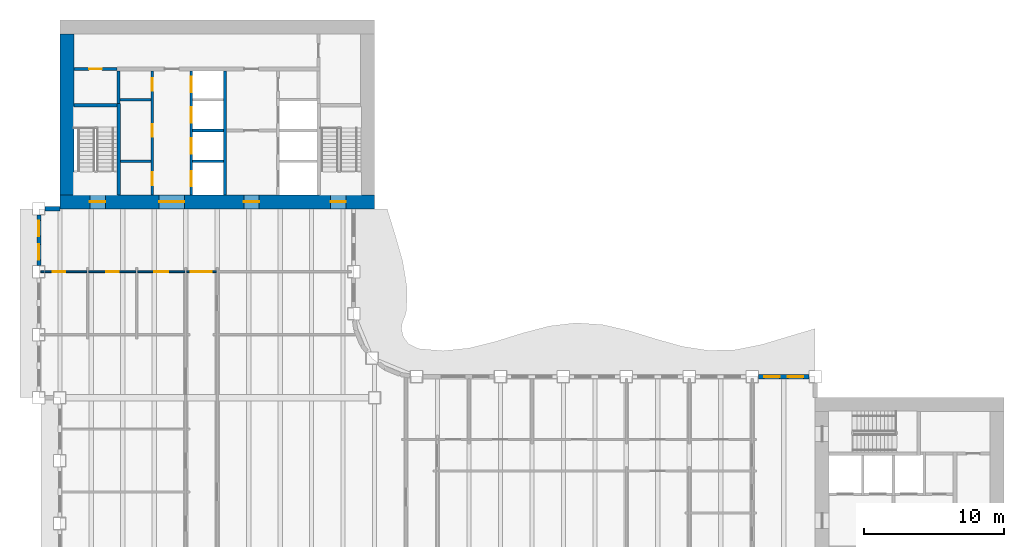
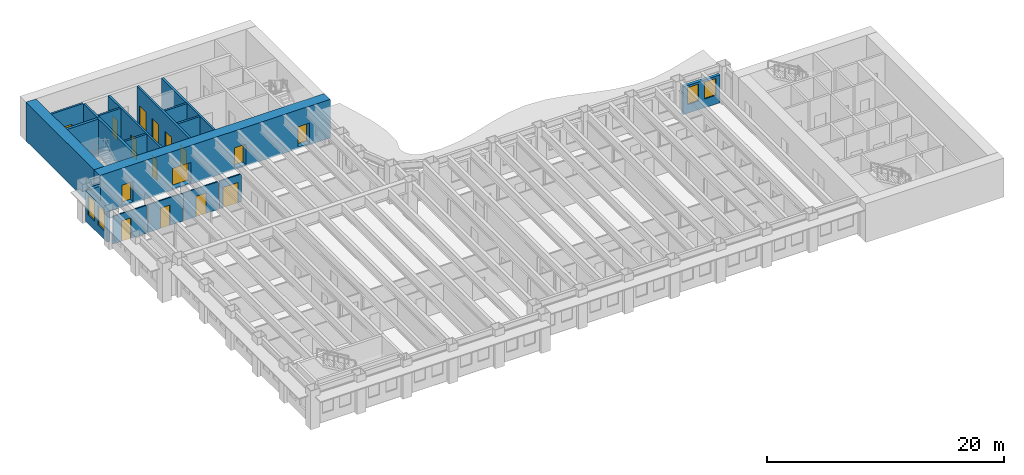
# One storey, part 8 of 16: 20 walls, 16 doors, 4 windows, 20 openings.
"""IFC4 building model written with IfcOpenShell, lengths in metres."""

from ifc_helpers import new_model, si_unit, direction, frame, frame_2d, origin, place, context, subcontext, project, spatial, rectangle, extrude, material, layer, layer_set, type_object, element, fill, save


model = new_model("IFC4")

# Units and contexts
model_context = context("Model", 3, precision=1e-05, world=origin(), true_north=direction((0.0, 1.0)))
body_context = subcontext(model_context, "Body", "Model", "MODEL_VIEW")
ifc_project = project(units=[si_unit("LENGTHUNIT", "METRE"), si_unit("AREAUNIT", "SQUARE_METRE"), si_unit("VOLUMEUNIT", "CUBIC_METRE"), si_unit("PLANEANGLEUNIT", "RADIAN"), si_unit("MASSUNIT", "GRAM", prefix="KILO")], contexts=[model_context])

# Site, building, storey
site_placement = place(None, origin())
site = spatial("IfcSite", under=ifc_project, at=site_placement, CompositionType="ELEMENT")
building_placement = place(site_placement, origin())
building = spatial("IfcBuilding", under=site, at=building_placement, Name="Sennacour Bend Tower", CompositionType="ELEMENT")
storey_placement = place(building_placement, frame((0.0, 0.0, 163.0)))
storey = spatial("IfcBuildingStorey", under=building, at=storey_placement, Name="L37", CompositionType="ELEMENT", Elevation=163.0)

# Wall, openings, doors
ifc_material_1 = material(Name="Concrete C60/75", Category="concrete")
ifc_layer_1 = layer(ifc_material_1, 1.0, Name="Concrete C60/75", Category="concrete")
ifc_layer_set_1 = layer_set([ifc_layer_1], Name="Concrete C60/75")
wall_type_1 = type_object("IfcWallType", Name="Core wall 1000 C60/75", PredefinedType="SHEAR", material=ifc_layer_set_1)
wall_1_placement = place(storey_placement, frame((0.0, 36.5, -0.14990234375), z_axis=(0.0, 0.0, 1.0), x_axis=(1.0, 0.0, 0.0)))
wall_1 = element("IfcWall", 1, at=wall_1_placement, inside=storey, type_object=wall_type_1, Name="Core B wall L37 S", PredefinedType="SHEAR", context=body_context, shape_type="SweptSolid", body=[
    extrude(rectangle(XDim=22.5, YDim=1.0, at=frame_2d((11.25, 0.0))), origin(), (0.0, 0.0, 1.0), 4.0),
])
opening_1_placement = place(wall_1_placement, frame((7.10009765625, 0.0, 0.14990234375)))
opening_1 = element("IfcOpeningElement", 2, at=opening_1_placement, cuts=wall_1, Name="Opening CD", PredefinedType="OPENING", context=body_context, shape_type="SweptSolid", body=[
    extrude(rectangle(XDim=1.800048828125, YDim=2.10009765625, at=frame_2d((0.89990234375, 1.050048828125))), frame((0.0, 0.510009765625, 0.0), z_axis=(0.0, -1.0, 0.0), x_axis=(1.0, 0.0, 0.0)), (0.0, 0.0, 1.0), 1.02001953125),
])
opening_2_placement = place(wall_1_placement, frame((13.14990234375, 0.0, 0.14990234375)))
opening_2 = element("IfcOpeningElement", 3, at=opening_2_placement, cuts=wall_1, Name="Opening FD", PredefinedType="OPENING", context=body_context, shape_type="SweptSolid", body=[
    extrude(rectangle(XDim=1.10009765625, YDim=2.10009765625, at=frame_2d((0.550048828125, 1.050048828125))), frame((0.0, 0.510009765625, 0.0), z_axis=(0.0, -1.0, 0.0), x_axis=(1.0, 0.0, 0.0)), (0.0, 0.0, 1.0), 1.02001953125),
])
opening_3_placement = place(wall_1_placement, frame((2.14990234375, 0.0, 0.14990234375)))
opening_3 = element("IfcOpeningElement", 4, at=opening_3_placement, cuts=wall_1, Name="Opening SD", PredefinedType="OPENING", context=body_context, shape_type="SweptSolid", body=[
    extrude(rectangle(XDim=1.10009765625, YDim=2.10009765625, at=frame_2d((0.550048828125, 1.050048828125))), frame((0.0, 0.510009765625, 0.0), z_axis=(0.0, -1.0, 0.0), x_axis=(1.0, 0.0, 0.0)), (0.0, 0.0, 1.0), 1.02001953125),
])
opening_4_placement = place(wall_1_placement, frame((19.35009765625, 0.0, 0.14990234375)))
opening_4 = element("IfcOpeningElement", 5, at=opening_4_placement, cuts=wall_1, Name="Opening SD", PredefinedType="OPENING", context=body_context, shape_type="SweptSolid", body=[
    extrude(rectangle(XDim=1.10009765625, YDim=2.10009765625, at=frame_2d((0.550048828125, 1.050048828125))), frame((0.0, 0.510009765625, 0.0), z_axis=(0.0, -1.0, 0.0), x_axis=(1.0, 0.0, 0.0)), (0.0, 0.0, 1.0), 1.02001953125),
])
ifc_material_2 = material(Name="Painted steel", Category="steel")
door_type_1 = type_object("IfcDoorType", Name="DR-FFL-1100", OperationType="NOTDEFINED", PredefinedType="DOOR", material=ifc_material_2)
door_1_placement = place(opening_2_placement, origin())
door_1 = element("IfcDoor", 6, at=door_1_placement, inside=storey, type_object=door_type_1, Name="Door", OperationType="SINGLE_SWING_RIGHT", OverallHeight=2.10009765625, OverallWidth=1.10009765625, PredefinedType="DOOR", context=body_context, shape_type="SweptSolid", body=[
    extrude(rectangle(XDim=1.10009765625, YDim=2.10009765625, at=frame_2d((0.550048828125, 1.050048828125))), frame((0.0, 0.02490234375, 0.0), z_axis=(0.0, -1.0, 0.0), x_axis=(1.0, 0.0, 0.0)), (0.0, 0.0, 1.0), 0.050048828125),
])
fill(opening_2, door_1)
door_type_2 = type_object("IfcDoorType", Name="DR-LOBBY-1800", OperationType="NOTDEFINED", PredefinedType="DOOR", material=ifc_material_2)
door_2_placement = place(opening_1_placement, origin())
door_2 = element("IfcDoor", 7, at=door_2_placement, inside=storey, type_object=door_type_2, Name="Door", OperationType="DOUBLE_DOOR_SINGLE_SWING", OverallHeight=2.10009765625, OverallWidth=1.800048828125, PredefinedType="DOOR", context=body_context, shape_type="SweptSolid", body=[
    extrude(rectangle(XDim=1.800048828125, YDim=2.10009765625, at=frame_2d((0.89990234375, 1.050048828125))), frame((0.0, 0.02490234375, 0.0), z_axis=(0.0, -1.0, 0.0), x_axis=(1.0, 0.0, 0.0)), (0.0, 0.0, 1.0), 0.050048828125),
])
fill(opening_1, door_2)
door_type_3 = type_object("IfcDoorType", Name="DR-STAIR-1100", OperationType="NOTDEFINED", PredefinedType="DOOR", material=ifc_material_2)
door_3_placement = place(opening_3_placement, origin())
door_3 = element("IfcDoor", 8, at=door_3_placement, inside=storey, type_object=door_type_3, Name="Door", OperationType="SINGLE_SWING_LEFT", OverallHeight=2.10009765625, OverallWidth=1.10009765625, PredefinedType="DOOR", context=body_context, shape_type="SweptSolid", body=[
    extrude(rectangle(XDim=1.10009765625, YDim=2.10009765625, at=frame_2d((0.550048828125, 1.050048828125))), frame((0.0, 0.02490234375, 0.0), z_axis=(0.0, -1.0, 0.0), x_axis=(1.0, 0.0, 0.0)), (0.0, 0.0, 1.0), 0.050048828125),
])
fill(opening_3, door_3)
door_4_placement = place(opening_4_placement, origin())
door_4 = element("IfcDoor", 9, at=door_4_placement, inside=storey, type_object=door_type_3, Name="Door", OperationType="SINGLE_SWING_RIGHT", OverallHeight=2.10009765625, OverallWidth=1.10009765625, PredefinedType="DOOR", context=body_context, shape_type="SweptSolid", body=[
    extrude(rectangle(XDim=1.10009765625, YDim=2.10009765625, at=frame_2d((0.550048828125, 1.050048828125))), frame((0.0, 0.02490234375, 0.0), z_axis=(0.0, -1.0, 0.0), x_axis=(1.0, 0.0, 0.0)), (0.0, 0.0, 1.0), 0.050048828125),
])
fill(opening_4, door_4)

# Wall
wall_2_placement = place(storey_placement, frame((0.5, 37.0, -0.14990234375), z_axis=(0.0, 0.0, 1.0), x_axis=(0.0, 1.0, 0.0)))
element("IfcWall", 10, at=wall_2_placement, inside=storey, type_object=wall_type_1, Name="Core B wall L37 W", PredefinedType="SHEAR", context=body_context, shape_type="SweptSolid", body=[
    extrude(rectangle(XDim=11.5, YDim=1.0, at=frame_2d((5.75, 0.0))), origin(), (0.0, 0.0, 1.0), 4.0),
])

# Wall, opening, door
ifc_material_3 = material(Name="Plasterboard partition on steel studs", Category="steel")
ifc_layer_2 = layer(ifc_material_3, 0.1201171875, Name="Plasterboard partition on steel studs", Category="steel")
ifc_layer_set_2 = layer_set([ifc_layer_2], Name="Plasterboard partition on steel studs")
wall_type_2 = type_object("IfcWallType", Name="Partition 120", PredefinedType="PARTITIONING", material=ifc_layer_set_2)
wall_3_placement = place(storey_placement, frame((-1.35009765625, 31.5, 0.0), z_axis=(0.0, 0.0, 1.0), x_axis=(1.0, 0.0, 0.0)))
wall_3 = element("IfcWall", 11, at=wall_3_placement, inside=storey, type_object=wall_type_2, Name="P-L37-W080aa", PredefinedType="PARTITIONING", context=body_context, shape_type="SweptSolid", body=[
    extrude(rectangle(XDim=3.2900390625, YDim=0.1201171875, at=frame_2d((1.64501953125, 0.0))), origin(), (0.0, 0.0, 1.0), 2.8701171875),
])
opening_5_placement = place(wall_3_placement, frame((0.85009765625, 0.0, 0.0)))
opening_5 = element("IfcOpeningElement", 12, at=opening_5_placement, cuts=wall_3, Name="Opening WD", PredefinedType="OPENING", context=body_context, shape_type="SweptSolid", body=[
    extrude(rectangle(XDim=0.89990234375, YDim=2.10009765625, at=frame_2d((0.449951171875, 1.050048828125))), frame((0.0, 0.070068359375, 0.0), z_axis=(0.0, -1.0, 0.0), x_axis=(1.0, 0.0, 0.0)), (0.0, 0.0, 1.0), 0.14013671875),
])
ifc_material_4 = material(Name="Timber", Category="wood")
door_type_4 = type_object("IfcDoorType", Name="DR-WC-900", OperationType="NOTDEFINED", PredefinedType="DOOR", material=ifc_material_4)
door_5_placement = place(opening_5_placement, origin())
door_5 = element("IfcDoor", 13, at=door_5_placement, inside=storey, type_object=door_type_4, Name="Door", OperationType="SINGLE_SWING_LEFT", OverallHeight=2.10009765625, OverallWidth=0.89990234375, PredefinedType="DOOR", context=body_context, shape_type="SweptSolid", body=[
    extrude(rectangle(XDim=0.89990234375, YDim=2.10009765625, at=frame_2d((0.449951171875, 1.050048828125))), frame((0.0, 0.02490234375, 0.0), z_axis=(0.0, -1.0, 0.0), x_axis=(1.0, 0.0, 0.0)), (0.0, 0.0, 1.0), 0.050048828125),
])
fill(opening_5, door_5)

wall_4_placement = place(storey_placement, frame((2.06005859375, 31.5, 0.0), z_axis=(0.0, 0.0, 1.0), x_axis=(1.0, 0.0, 0.0)))
wall_4 = element("IfcWall", 14, at=wall_4_placement, inside=storey, type_object=wall_type_2, Name="P-L37-W080ab", PredefinedType="PARTITIONING", context=body_context, shape_type="SweptSolid", body=[
    extrude(rectangle(XDim=3.3798828125, YDim=0.1201171875, at=frame_2d((1.68994140625, 0.0))), origin(), (0.0, 0.0, 1.0), 2.8701171875),
])
opening_6_placement = place(wall_4_placement, frame((1.239990234375, 0.0, 0.0)))
opening_6 = element("IfcOpeningElement", 15, at=opening_6_placement, cuts=wall_4, Name="Opening WD", PredefinedType="OPENING", context=body_context, shape_type="SweptSolid", body=[
    extrude(rectangle(XDim=0.89990234375, YDim=2.10009765625, at=frame_2d((0.449951171875, 1.050048828125))), frame((0.0, 0.070068359375, 0.0), z_axis=(0.0, -1.0, 0.0), x_axis=(1.0, 0.0, 0.0)), (0.0, 0.0, 1.0), 0.14013671875),
])
door_6_placement = place(opening_6_placement, origin())
door_6 = element("IfcDoor", 16, at=door_6_placement, inside=storey, type_object=door_type_4, Name="Door", OperationType="SINGLE_SWING_LEFT", OverallHeight=2.10009765625, OverallWidth=0.89990234375, PredefinedType="DOOR", context=body_context, shape_type="SweptSolid", body=[
    extrude(rectangle(XDim=0.89990234375, YDim=2.10009765625, at=frame_2d((0.449951171875, 1.050048828125))), frame((0.0, 0.02490234375, 0.0), z_axis=(0.0, -1.0, 0.0), x_axis=(1.0, 0.0, 0.0)), (0.0, 0.0, 1.0), 0.050048828125),
])
fill(opening_6, door_6)

wall_5_placement = place(storey_placement, frame((5.56005859375, 31.5, 0.0), z_axis=(0.0, 0.0, 1.0), x_axis=(1.0, 0.0, 0.0)))
wall_5 = element("IfcWall", 17, at=wall_5_placement, inside=storey, type_object=wall_type_2, Name="P-L37-W080ac", PredefinedType="PARTITIONING", context=body_context, shape_type="SweptSolid", body=[
    extrude(rectangle(XDim=3.3798828125, YDim=0.1201171875, at=frame_2d((1.68994140625, 0.0))), origin(), (0.0, 0.0, 1.0), 2.8701171875),
])
opening_7_placement = place(wall_5_placement, frame((1.18994140625, 0.0, 0.0)))
opening_7 = element("IfcOpeningElement", 18, at=opening_7_placement, cuts=wall_5, Name="Opening AD", PredefinedType="OPENING", context=body_context, shape_type="SweptSolid", body=[
    extrude(rectangle(XDim=1.0, YDim=2.10009765625, at=frame_2d((0.5, 1.050048828125))), frame((0.0, 0.070068359375, 0.0), z_axis=(0.0, -1.0, 0.0), x_axis=(1.0, 0.0, 0.0)), (0.0, 0.0, 1.0), 0.14013671875),
])
door_type_5 = type_object("IfcDoorType", Name="DR-ACC-WC-1000", OperationType="NOTDEFINED", PredefinedType="DOOR", material=ifc_material_4)
door_7_placement = place(opening_7_placement, origin())
door_7 = element("IfcDoor", 19, at=door_7_placement, inside=storey, type_object=door_type_5, Name="Door", OperationType="SINGLE_SWING_LEFT", OverallHeight=2.10009765625, OverallWidth=1.0, PredefinedType="DOOR", context=body_context, shape_type="SweptSolid", body=[
    extrude(rectangle(XDim=1.0, YDim=2.10009765625, at=frame_2d((0.5, 1.050048828125))), frame((0.0, 0.02490234375, 0.0), z_axis=(0.0, -1.0, 0.0), x_axis=(1.0, 0.0, 0.0)), (0.0, 0.0, 1.0), 0.050048828125),
])
fill(opening_7, door_7)

ifc_layer_3 = layer(ifc_material_3, 0.1201171875, Name="Plasterboard partition on steel studs", Category="steel")
ifc_layer_set_3 = layer_set([ifc_layer_3], Name="Plasterboard partition on steel studs")
wall_type_3 = type_object("IfcWallType", Name="Partition 120 EI 30", PredefinedType="PARTITIONING", material=ifc_layer_set_3)
wall_6_placement = place(storey_placement, frame((9.06005859375, 31.5, 0.0), z_axis=(0.0, 0.0, 1.0), x_axis=(1.0, 0.0, 0.0)))
wall_6 = element("IfcWall", 20, at=wall_6_placement, inside=storey, type_object=wall_type_3, Name="P-L37-W080ad", PredefinedType="PARTITIONING", context=body_context, shape_type="SweptSolid", body=[
    extrude(rectangle(XDim=2.1298828125, YDim=0.1201171875, at=frame_2d((1.06494140625, 0.0))), origin(), (0.0, 0.0, 1.0), 2.8701171875),
])
opening_8_placement = place(wall_6_placement, frame((0.31494140625, 0.0, 0.0)))
opening_8 = element("IfcOpeningElement", 21, at=opening_8_placement, cuts=wall_6, Name="Opening KD", PredefinedType="OPENING", context=body_context, shape_type="SweptSolid", body=[
    extrude(rectangle(XDim=1.5, YDim=2.10009765625, at=frame_2d((0.75, 1.050048828125))), frame((0.0, 0.070068359375, 0.0), z_axis=(0.0, -1.0, 0.0), x_axis=(1.0, 0.0, 0.0)), (0.0, 0.0, 1.0), 0.14013671875),
])
door_type_6 = type_object("IfcDoorType", Name="DR-CORRIDOR-1500", OperationType="NOTDEFINED", PredefinedType="DOOR", material=ifc_material_2)
door_8_placement = place(opening_8_placement, origin())
door_8 = element("IfcDoor", 22, at=door_8_placement, inside=storey, type_object=door_type_6, Name="Door", OperationType="SINGLE_SWING_LEFT", OverallHeight=2.10009765625, OverallWidth=1.5, PredefinedType="DOOR", context=body_context, shape_type="SweptSolid", body=[
    extrude(rectangle(XDim=1.5, YDim=2.10009765625, at=frame_2d((0.75, 1.050048828125))), frame((0.0, 0.02490234375, 0.0), z_axis=(0.0, -1.0, 0.0), x_axis=(1.0, 0.0, 0.0)), (0.0, 0.0, 1.0), 0.050048828125),
])
fill(opening_8, door_8)

# Wall
ifc_material_5 = material(Name="Fire-rated plasterboard partition on steel studs", Category="steel")
ifc_layer_4 = layer(ifc_material_5, 0.199951171875, Name="Fire-rated plasterboard partition on steel studs", Category="steel")
ifc_layer_set_4 = layer_set([ifc_layer_4], Name="Fire-rated plasterboard partition on steel studs")
wall_type_4 = type_object("IfcWallType", Name="Rated partition 200", PredefinedType="PARTITIONING", material=ifc_layer_set_4)
wall_7_placement = place(storey_placement, frame((4.199951171875, 43.52490234375, 0.0), z_axis=(0.0, 0.0, 1.0), x_axis=(0.0, 1.0, 0.0)))
element("IfcWall", 23, at=wall_7_placement, inside=storey, type_object=wall_type_4, Name="P-L37-W006", PredefinedType="PARTITIONING", context=body_context, shape_type="SweptSolid", body=[
    extrude(rectangle(XDim=2.3251953125, YDim=0.199951171875, at=frame_2d((1.16259765625, 0.0))), origin(), (0.0, 0.0, 1.0), 3.85009765625),
])

# Wall, openings, doors
wall_8_placement = place(storey_placement, frame((6.60009765625, 37.0, 0.0), z_axis=(0.0, 0.0, 1.0), x_axis=(0.0, 1.0, 0.0)))
wall_8 = element("IfcWall", 24, at=wall_8_placement, inside=storey, type_object=wall_type_4, Name="P-L37-W008", PredefinedType="PARTITIONING", context=body_context, shape_type="SweptSolid", body=[
    extrude(rectangle(XDim=8.85009765625, YDim=0.199951171875, at=frame_2d((4.425048828125, 0.0))), origin(), (0.0, 0.0, 1.0), 3.85009765625),
])
opening_9_placement = place(wall_8_placement, frame((0.699951171875, 0.0, 0.0)))
opening_9 = element("IfcOpeningElement", 25, at=opening_9_placement, cuts=wall_8, Name="Opening SV", PredefinedType="OPENING", context=body_context, shape_type="SweptSolid", body=[
    extrude(rectangle(XDim=0.89990234375, YDim=2.10009765625, at=frame_2d((0.449951171875, 1.050048828125))), frame((0.0, 0.10986328125, 0.0), z_axis=(0.0, -1.0, 0.0), x_axis=(1.0, 0.0, 0.0)), (0.0, 0.0, 1.0), 0.219970703125),
])
opening_10_placement = place(wall_8_placement, frame((4.14990234375, 0.0, 0.0)))
opening_10 = element("IfcOpeningElement", 26, at=opening_10_placement, cuts=wall_8, Name="Opening WD", PredefinedType="OPENING", context=body_context, shape_type="SweptSolid", body=[
    extrude(rectangle(XDim=0.89990234375, YDim=2.10009765625, at=frame_2d((0.449951171875, 1.050048828125))), frame((0.0, 0.10986328125, 0.0), z_axis=(0.0, -1.0, 0.0), x_axis=(1.0, 0.0, 0.0)), (0.0, 0.0, 1.0), 0.219970703125),
])
opening_11_placement = place(wall_8_placement, frame((7.425048828125, 0.0, 0.0)))
opening_11 = element("IfcOpeningElement", 27, at=opening_11_placement, cuts=wall_8, Name="Opening SV", PredefinedType="OPENING", context=body_context, shape_type="SweptSolid", body=[
    extrude(rectangle(XDim=0.89990234375, YDim=2.10009765625, at=frame_2d((0.449951171875, 1.050048828125))), frame((0.0, 0.10986328125, 0.0), z_axis=(0.0, -1.0, 0.0), x_axis=(1.0, 0.0, 0.0)), (0.0, 0.0, 1.0), 0.219970703125),
])
door_type_7 = type_object("IfcDoorType", Name="DR-SERVICE-900", OperationType="NOTDEFINED", PredefinedType="DOOR", material=ifc_material_2)
door_9_placement = place(opening_9_placement, origin())
door_9 = element("IfcDoor", 28, at=door_9_placement, inside=storey, type_object=door_type_7, Name="Door", OperationType="SINGLE_SWING_LEFT", OverallHeight=2.10009765625, OverallWidth=0.89990234375, PredefinedType="DOOR", context=body_context, shape_type="SweptSolid", body=[
    extrude(rectangle(XDim=0.89990234375, YDim=2.10009765625, at=frame_2d((0.449951171875, 1.050048828125))), frame((0.0, 0.02490234375, 0.0), z_axis=(0.0, -1.0, 0.0), x_axis=(1.0, 0.0, 0.0)), (0.0, 0.0, 1.0), 0.050048828125),
])
fill(opening_9, door_9)
door_10_placement = place(opening_11_placement, origin())
door_10 = element("IfcDoor", 29, at=door_10_placement, inside=storey, type_object=door_type_7, Name="Door", OperationType="SINGLE_SWING_RIGHT", OverallHeight=2.10009765625, OverallWidth=0.89990234375, PredefinedType="DOOR", context=body_context, shape_type="SweptSolid", body=[
    extrude(rectangle(XDim=0.89990234375, YDim=2.10009765625, at=frame_2d((0.449951171875, 1.050048828125))), frame((0.0, 0.02490234375, 0.0), z_axis=(0.0, -1.0, 0.0), x_axis=(1.0, 0.0, 0.0)), (0.0, 0.0, 1.0), 0.050048828125),
])
fill(opening_11, door_10)
door_11_placement = place(opening_10_placement, origin())
door_11 = element("IfcDoor", 30, at=door_11_placement, inside=storey, type_object=door_type_4, Name="Door", OperationType="SINGLE_SWING_RIGHT", OverallHeight=2.10009765625, OverallWidth=0.89990234375, PredefinedType="DOOR", context=body_context, shape_type="SweptSolid", body=[
    extrude(rectangle(XDim=0.89990234375, YDim=2.10009765625, at=frame_2d((0.449951171875, 1.050048828125))), frame((0.0, 0.02490234375, 0.0), z_axis=(0.0, -1.0, 0.0), x_axis=(1.0, 0.0, 0.0)), (0.0, 0.0, 1.0), 0.050048828125),
])
fill(opening_10, door_11)

# Walls
wall_9_placement = place(storey_placement, frame((4.324951171875, 39.39990234375, 0.0), z_axis=(0.0, 0.0, 1.0), x_axis=(1.0, 0.0, 0.0)))
element("IfcWall", 31, at=wall_9_placement, inside=storey, type_object=wall_type_4, Name="P-L37-W082", PredefinedType="PARTITIONING", context=body_context, shape_type="SweptSolid", body=[
    extrude(rectangle(XDim=2.175048828125, YDim=0.199951171875, at=frame_2d((1.08740234375, 0.0))), origin(), (0.0, 0.0, 1.0), 3.85009765625),
])
wall_10_placement = place(storey_placement, frame((4.300048828125, 43.800048828125, 0.0), z_axis=(0.0, 0.0, 1.0), x_axis=(1.0, 0.0, 0.0)))
element("IfcWall", 32, at=wall_10_placement, inside=storey, type_object=wall_type_4, Name="P-L37-W090", PredefinedType="PARTITIONING", context=body_context, shape_type="SweptSolid", body=[
    extrude(rectangle(XDim=2.199951171875, YDim=0.199951171875, at=frame_2d((1.10009765625, 0.0))), origin(), (0.0, 0.0, 1.0), 3.85009765625),
])

# Wall, opening, door
wall_11_placement = place(storey_placement, frame((1.0, 46.0, 0.0), z_axis=(0.0, 0.0, 1.0), x_axis=(1.0, 0.0, 0.0)))
wall_11 = element("IfcWall", 33, at=wall_11_placement, inside=storey, type_object=wall_type_4, Name="P-L37-W093", PredefinedType="PARTITIONING", context=body_context, shape_type="SweptSolid", body=[
    extrude(rectangle(XDim=3.10009765625, YDim=0.199951171875, at=frame_2d((1.550048828125, 0.0))), origin(), (0.0, 0.0, 1.0), 3.85009765625),
])
opening_12_placement = place(wall_11_placement, frame((1.10009765625, 0.0, 0.0)))
opening_12 = element("IfcOpeningElement", 34, at=opening_12_placement, cuts=wall_11, Name="Opening SV", PredefinedType="OPENING", context=body_context, shape_type="SweptSolid", body=[
    extrude(rectangle(XDim=0.89990234375, YDim=2.10009765625, at=frame_2d((0.449951171875, 1.050048828125))), frame((0.0, 0.10986328125, 0.0), z_axis=(0.0, -1.0, 0.0), x_axis=(1.0, 0.0, 0.0)), (0.0, 0.0, 1.0), 0.219970703125),
])
door_12_placement = place(opening_12_placement, origin())
door_12 = element("IfcDoor", 35, at=door_12_placement, inside=storey, type_object=door_type_7, Name="Door", OperationType="SINGLE_SWING_LEFT", OverallHeight=2.10009765625, OverallWidth=0.89990234375, PredefinedType="DOOR", context=body_context, shape_type="SweptSolid", body=[
    extrude(rectangle(XDim=0.89990234375, YDim=2.10009765625, at=frame_2d((0.449951171875, 1.050048828125))), frame((0.0, 0.02490234375, 0.0), z_axis=(0.0, -1.0, 0.0), x_axis=(1.0, 0.0, 0.0)), (0.0, 0.0, 1.0), 0.050048828125),
])
fill(opening_12, door_12)

# Wall, openings, windows
ifc_material_6 = material(Name="Warm limestone cladding", Category="masonry")
ifc_layer_5 = layer(ifc_material_6, 0.050048828125, Name="Warm limestone cladding", Category="masonry")
ifc_material_7 = material(Name="Precast concrete C40/50", Category="concrete")
ifc_layer_6 = layer(ifc_material_7, 0.25, Name="Precast concrete C40/50", Category="concrete")
ifc_layer_set_5 = layer_set([ifc_layer_5, ifc_layer_6], Name="Precast concrete C40/50 with limestone cladding")
wall_type_5 = type_object("IfcWallType", Name="STONE-CLAD PRECAST SPANDREL 300", PredefinedType="STANDARD", material=ifc_layer_set_5)
wall_12_placement = place(storey_placement, frame((53.550048828125, 24.0, 0.0), z_axis=(0.0, 0.0, 1.0), x_axis=(-1.0, 0.0, 0.0)))
wall_12 = element("IfcWall", 36, at=wall_12_placement, inside=storey, type_object=wall_type_5, Name="Stone spandrel and pier wall L37 08.00", PredefinedType="STANDARD", context=body_context, shape_type="SweptSolid", body=[
    extrude(rectangle(XDim=3.60009765625, YDim=0.300048828125, at=frame_2d((1.800048828125, 0.0))), origin(), (0.0, 0.0, 1.0), 2.8701171875),
])
opening_13_placement = place(wall_12_placement, frame((0.39990234375, 0.0, 0.89990234375)))
opening_13 = element("IfcOpeningElement", 37, at=opening_13_placement, cuts=wall_12, Name="Opening W17", PredefinedType="OPENING", context=body_context, shape_type="SweptSolid", body=[
    extrude(rectangle(XDim=1.10009765625, YDim=1.75, at=frame_2d((0.550048828125, 0.875))), frame((0.0, 0.16015625, 0.0), z_axis=(0.0, -1.0, 0.0), x_axis=(1.0, 0.0, 0.0)), (0.0, 0.0, 1.0), 0.320068359375),
])
opening_14_placement = place(wall_12_placement, frame((2.10009765625, 0.0, 0.89990234375)))
opening_14 = element("IfcOpeningElement", 38, at=opening_14_placement, cuts=wall_12, Name="Opening W17", PredefinedType="OPENING", context=body_context, shape_type="SweptSolid", body=[
    extrude(rectangle(XDim=1.10009765625, YDim=1.75, at=frame_2d((0.550048828125, 0.875))), frame((0.0, 0.16015625, 0.0), z_axis=(0.0, -1.0, 0.0), x_axis=(1.0, 0.0, 0.0)), (0.0, 0.0, 1.0), 0.320068359375),
])
ifc_material_8 = material(Name="Clear low-emissivity glass", Category="glass")
window_type_1 = type_object("IfcWindowType", Name="WIN-RIBBON-1100x1750", PartitioningType="SINGLE_PANEL", PredefinedType="WINDOW", material=ifc_material_8)
window_1_placement = place(opening_13_placement, origin())
window_1 = element("IfcWindow", 39, at=window_1_placement, inside=storey, type_object=window_type_1, Name="Ribbon window L37 08.00.0", OverallHeight=1.75, OverallWidth=1.10009765625, PartitioningType="SINGLE_PANEL", PredefinedType="WINDOW", context=body_context, shape_type="SweptSolid", body=[
    extrude(rectangle(XDim=1.10009765625, YDim=1.75, at=frame_2d((0.550048828125, 0.875))), frame((0.0, 0.030029296875, 0.0), z_axis=(0.0, -1.0, 0.0), x_axis=(1.0, 0.0, 0.0)), (0.0, 0.0, 1.0), 0.06005859375),
])
fill(opening_13, window_1)
window_2_placement = place(opening_14_placement, origin())
window_2 = element("IfcWindow", 40, at=window_2_placement, inside=storey, type_object=window_type_1, Name="Ribbon window L37 08.00.1", OverallHeight=1.75, OverallWidth=1.10009765625, PartitioningType="SINGLE_PANEL", PredefinedType="WINDOW", context=body_context, shape_type="SweptSolid", body=[
    extrude(rectangle(XDim=1.10009765625, YDim=1.75, at=frame_2d((0.550048828125, 0.875))), frame((0.0, 0.030029296875, 0.0), z_axis=(0.0, -1.0, 0.0), x_axis=(1.0, 0.0, 0.0)), (0.0, 0.0, 1.0), 0.06005859375),
])
fill(opening_14, window_2)

# Wall
wall_13_placement = place(storey_placement, frame((0.0, 36.0, 0.0), z_axis=(0.0, 0.0, 1.0), x_axis=(-1.0, 0.0, 0.0)))
element("IfcWall", 41, at=wall_13_placement, inside=storey, type_object=wall_type_5, Name="Stone spandrel and pier wall L37 20.00", PredefinedType="STANDARD", context=body_context, shape_type="SweptSolid", body=[
    extrude(rectangle(XDim=1.050048828125, YDim=0.300048828125, at=frame_2d((0.52490234375, 0.0))), origin(), (0.0, 0.0, 1.0), 2.8701171875),
])

# Wall, openings, windows
wall_14_placement = place(storey_placement, frame((-1.5, 35.550048828125, 0.0), z_axis=(0.0, 0.0, 1.0), x_axis=(0.0, -1.0, 0.0)))
wall_14 = element("IfcWall", 42, at=wall_14_placement, inside=storey, type_object=wall_type_5, Name="Stone spandrel and pier wall L37 21.00", PredefinedType="STANDARD", context=body_context, shape_type="SweptSolid", body=[
    extrude(rectangle(XDim=3.60009765625, YDim=0.300048828125, at=frame_2d((1.800048828125, 0.0))), origin(), (0.0, 0.0, 1.0), 3.14892578125),
])
opening_15_placement = place(wall_14_placement, frame((0.39990234375, 0.0, 0.89990234375)))
opening_15 = element("IfcOpeningElement", 43, at=opening_15_placement, cuts=wall_14, Name="Opening W19", PredefinedType="OPENING", context=body_context, shape_type="SweptSolid", body=[
    extrude(rectangle(XDim=1.10009765625, YDim=2.0, at=frame_2d((0.550048828125, 1.0))), frame((0.0, 0.16015625, 0.0), z_axis=(0.0, -1.0, 0.0), x_axis=(1.0, 0.0, 0.0)), (0.0, 0.0, 1.0), 0.320068359375),
])
opening_16_placement = place(wall_14_placement, frame((2.10009765625, 0.0, 0.89990234375)))
opening_16 = element("IfcOpeningElement", 44, at=opening_16_placement, cuts=wall_14, Name="Opening W19", PredefinedType="OPENING", context=body_context, shape_type="SweptSolid", body=[
    extrude(rectangle(XDim=1.10009765625, YDim=2.0, at=frame_2d((0.550048828125, 1.0))), frame((0.0, 0.16015625, 0.0), z_axis=(0.0, -1.0, 0.0), x_axis=(1.0, 0.0, 0.0)), (0.0, 0.0, 1.0), 0.320068359375),
])
window_type_2 = type_object("IfcWindowType", Name="WIN-RIBBON-1100x2000", PartitioningType="SINGLE_PANEL", PredefinedType="WINDOW", material=ifc_material_8)
window_3_placement = place(opening_15_placement, origin())
window_3 = element("IfcWindow", 45, at=window_3_placement, inside=storey, type_object=window_type_2, Name="Ribbon window L37 21.00.0", OverallHeight=2.0, OverallWidth=1.10009765625, PartitioningType="SINGLE_PANEL", PredefinedType="WINDOW", context=body_context, shape_type="SweptSolid", body=[
    extrude(rectangle(XDim=1.10009765625, YDim=2.0, at=frame_2d((0.550048828125, 1.0))), frame((0.0, 0.030029296875, 0.0), z_axis=(0.0, -1.0, 0.0), x_axis=(1.0, 0.0, 0.0)), (0.0, 0.0, 1.0), 0.06005859375),
])
fill(opening_15, window_3)
window_4_placement = place(opening_16_placement, origin())
window_4 = element("IfcWindow", 46, at=window_4_placement, inside=storey, type_object=window_type_2, Name="Ribbon window L37 21.00.1", OverallHeight=2.0, OverallWidth=1.10009765625, PartitioningType="SINGLE_PANEL", PredefinedType="WINDOW", context=body_context, shape_type="SweptSolid", body=[
    extrude(rectangle(XDim=1.10009765625, YDim=2.0, at=frame_2d((0.550048828125, 1.0))), frame((0.0, 0.030029296875, 0.0), z_axis=(0.0, -1.0, 0.0), x_axis=(1.0, 0.0, 0.0)), (0.0, 0.0, 1.0), 0.06005859375),
])
fill(opening_16, window_4)

# Wall, openings, doors
ifc_material_9 = material(Name="Concrete C50/60", Category="concrete")
ifc_layer_7 = layer(ifc_material_9, 0.199951171875, Name="Concrete C50/60", Category="concrete")
ifc_layer_set_6 = layer_set([ifc_layer_7], Name="Concrete C50/60")
wall_type_6 = type_object("IfcWallType", Name="Shaft wall 200", PredefinedType="SOLIDWALL", material=ifc_layer_set_6)
wall_15_placement = place(storey_placement, frame((9.39990234375, 37.0, 0.0), z_axis=(0.0, 0.0, 1.0), x_axis=(0.0, 1.0, 0.0)))
wall_15 = element("IfcWall", 47, at=wall_15_placement, inside=storey, type_object=wall_type_6, Name="P-L37-W013", PredefinedType="SOLIDWALL", context=body_context, shape_type="SweptSolid", body=[
    extrude(rectangle(XDim=8.85009765625, YDim=0.199951171875, at=frame_2d((4.425048828125, 0.0))), origin(), (0.0, 0.0, 1.0), 3.85009765625),
])
opening_17_placement = place(wall_15_placement, frame((0.60009765625, 0.0, 0.011962890625)))
opening_17 = element("IfcOpeningElement", 48, at=opening_17_placement, cuts=wall_15, Name="Opening LD", PredefinedType="OPENING", context=body_context, shape_type="SweptSolid", body=[
    extrude(rectangle(XDim=1.10009765625, YDim=2.10009765625, at=frame_2d((0.550048828125, 1.050048828125))), frame((0.0, 0.10986328125, 0.0), z_axis=(0.0, -1.0, 0.0), x_axis=(1.0, 0.0, 0.0)), (0.0, 0.0, 1.0), 0.219970703125),
])
opening_18_placement = place(wall_15_placement, frame((2.949951171875, 0.0, 0.011962890625)))
opening_18 = element("IfcOpeningElement", 49, at=opening_18_placement, cuts=wall_15, Name="Opening LD", PredefinedType="OPENING", context=body_context, shape_type="SweptSolid", body=[
    extrude(rectangle(XDim=1.10009765625, YDim=2.10009765625, at=frame_2d((0.550048828125, 1.050048828125))), frame((0.0, 0.10986328125, 0.0), z_axis=(0.0, -1.0, 0.0), x_axis=(1.0, 0.0, 0.0)), (0.0, 0.0, 1.0), 0.219970703125),
])
opening_19_placement = place(wall_15_placement, frame((5.14990234375, 0.0, 0.011962890625)))
opening_19 = element("IfcOpeningElement", 50, at=opening_19_placement, cuts=wall_15, Name="Opening LD", PredefinedType="OPENING", context=body_context, shape_type="SweptSolid", body=[
    extrude(rectangle(XDim=1.10009765625, YDim=2.10009765625, at=frame_2d((0.550048828125, 1.050048828125))), frame((0.0, 0.10986328125, 0.0), z_axis=(0.0, -1.0, 0.0), x_axis=(1.0, 0.0, 0.0)), (0.0, 0.0, 1.0), 0.219970703125),
])
opening_20_placement = place(wall_15_placement, frame((7.324951171875, 0.0, 0.011962890625)))
opening_20 = element("IfcOpeningElement", 51, at=opening_20_placement, cuts=wall_15, Name="Opening LD", PredefinedType="OPENING", context=body_context, shape_type="SweptSolid", body=[
    extrude(rectangle(XDim=1.10009765625, YDim=2.10009765625, at=frame_2d((0.550048828125, 1.050048828125))), frame((0.0, 0.10986328125, 0.0), z_axis=(0.0, -1.0, 0.0), x_axis=(1.0, 0.0, 0.0)), (0.0, 0.0, 1.0), 0.219970703125),
])
ifc_material_10 = material(Name="Stainless steel", Category="steel")
door_type_8 = type_object("IfcDoorType", Name="DR-LANDING-1100", OperationType="NOTDEFINED", PredefinedType="DOOR", material=ifc_material_10)
door_13_placement = place(opening_17_placement, origin())
door_13 = element("IfcDoor", 52, at=door_13_placement, inside=storey, type_object=door_type_8, Name="Lift landing door MB1", OperationType="SLIDING_TO_LEFT", OverallHeight=2.10009765625, OverallWidth=1.10009765625, PredefinedType="DOOR", context=body_context, shape_type="SweptSolid", body=[
    extrude(rectangle(XDim=1.10009765625, YDim=2.10009765625, at=frame_2d((0.550048828125, 1.050048828125))), frame((0.0, 0.02490234375, 0.0), z_axis=(0.0, -1.0, 0.0), x_axis=(1.0, 0.0, 0.0)), (0.0, 0.0, 1.0), 0.050048828125),
])
fill(opening_17, door_13)
door_14_placement = place(opening_18_placement, origin())
door_14 = element("IfcDoor", 53, at=door_14_placement, inside=storey, type_object=door_type_8, Name="Lift landing door MB2", OperationType="SLIDING_TO_RIGHT", OverallHeight=2.10009765625, OverallWidth=1.10009765625, PredefinedType="DOOR", context=body_context, shape_type="SweptSolid", body=[
    extrude(rectangle(XDim=1.10009765625, YDim=2.10009765625, at=frame_2d((0.550048828125, 1.050048828125))), frame((0.0, 0.02490234375, 0.0), z_axis=(0.0, -1.0, 0.0), x_axis=(1.0, 0.0, 0.0)), (0.0, 0.0, 1.0), 0.050048828125),
])
fill(opening_18, door_14)
door_15_placement = place(opening_19_placement, origin())
door_15 = element("IfcDoor", 54, at=door_15_placement, inside=storey, type_object=door_type_8, Name="Lift landing door MB3", OperationType="SLIDING_TO_LEFT", OverallHeight=2.10009765625, OverallWidth=1.10009765625, PredefinedType="DOOR", context=body_context, shape_type="SweptSolid", body=[
    extrude(rectangle(XDim=1.10009765625, YDim=2.10009765625, at=frame_2d((0.550048828125, 1.050048828125))), frame((0.0, 0.02490234375, 0.0), z_axis=(0.0, -1.0, 0.0), x_axis=(1.0, 0.0, 0.0)), (0.0, 0.0, 1.0), 0.050048828125),
])
fill(opening_19, door_15)
door_16_placement = place(opening_20_placement, origin())
door_16 = element("IfcDoor", 55, at=door_16_placement, inside=storey, type_object=door_type_8, Name="Lift landing door MB4", OperationType="SLIDING_TO_RIGHT", OverallHeight=2.10009765625, OverallWidth=1.10009765625, PredefinedType="DOOR", context=body_context, shape_type="SweptSolid", body=[
    extrude(rectangle(XDim=1.10009765625, YDim=2.10009765625, at=frame_2d((0.550048828125, 1.050048828125))), frame((0.0, 0.02490234375, 0.0), z_axis=(0.0, -1.0, 0.0), x_axis=(1.0, 0.0, 0.0)), (0.0, 0.0, 1.0), 0.050048828125),
])
fill(opening_20, door_16)

# Walls
wall_16_placement = place(storey_placement, frame((11.800048828125, 37.0, 0.0), z_axis=(0.0, 0.0, 1.0), x_axis=(0.0, 1.0, 0.0)))
element("IfcWall", 56, at=wall_16_placement, inside=storey, type_object=wall_type_6, Name="P-L37-W015", PredefinedType="SOLIDWALL", context=body_context, shape_type="SweptSolid", body=[
    extrude(rectangle(XDim=8.85009765625, YDim=0.199951171875, at=frame_2d((4.425048828125, 0.0))), origin(), (0.0, 0.0, 1.0), 3.85009765625),
])
for number, where, z_axis, x_axis, name in (
    (57, (9.5, 39.39990234375, 0.0), (0.0, 0.0, 1.0), (1.0, 0.0, 0.0), "P-L37-W083"),
    (58, (9.5, 41.60009765625, 0.0), (0.0, 0.0, 1.0), (1.0, 0.0, 0.0), "P-L37-W085"),
):
    element("IfcWall", number, at=place(storey_placement, frame(where, z_axis=z_axis, x_axis=x_axis)), inside=storey, type_object=wall_type_6, Name=name, PredefinedType="SOLIDWALL", context=body_context, shape_type="SweptSolid", body=[
        extrude(rectangle(XDim=2.199951171875, YDim=0.199951171875, at=frame_2d((1.10009765625, 0.0))), origin(), (0.0, 0.0, 1.0), 3.85009765625),
    ])
ifc_layer_8 = layer(ifc_material_1, 0.25, Name="Concrete C60/75", Category="concrete")
ifc_layer_set_7 = layer_set([ifc_layer_8], Name="Concrete C60/75")
wall_type_7 = type_object("IfcWallType", Name="Stair wall 250", PredefinedType="SHEAR", material=ifc_layer_set_7)
wall_17_placement = place(storey_placement, frame((4.199951171875, 37.0, 0.0), z_axis=(0.0, 0.0, 1.0), x_axis=(0.0, 1.0, 0.0)))
element("IfcWall", 59, at=wall_17_placement, inside=storey, type_object=wall_type_7, Name="P-L37-W005", PredefinedType="SHEAR", context=body_context, shape_type="SweptSolid", body=[
    extrude(rectangle(XDim=6.52490234375, YDim=0.25, at=frame_2d((3.262451171875, 0.0))), origin(), (0.0, 0.0, 1.0), 3.85009765625),
])
wall_18_placement = place(storey_placement, frame((1.0, 43.39990234375, 0.0), z_axis=(0.0, 0.0, 1.0), x_axis=(1.0, 0.0, 0.0)))
element("IfcWall", 60, at=wall_18_placement, inside=storey, type_object=wall_type_7, Name="P-L37-W088", PredefinedType="SHEAR", context=body_context, shape_type="SweptSolid", body=[
    extrude(rectangle(XDim=3.074951171875, YDim=0.25, at=frame_2d((1.53759765625, 0.0))), origin(), (0.0, 0.0, 1.0), 3.85009765625),
])

save(model, "model.ifc")
